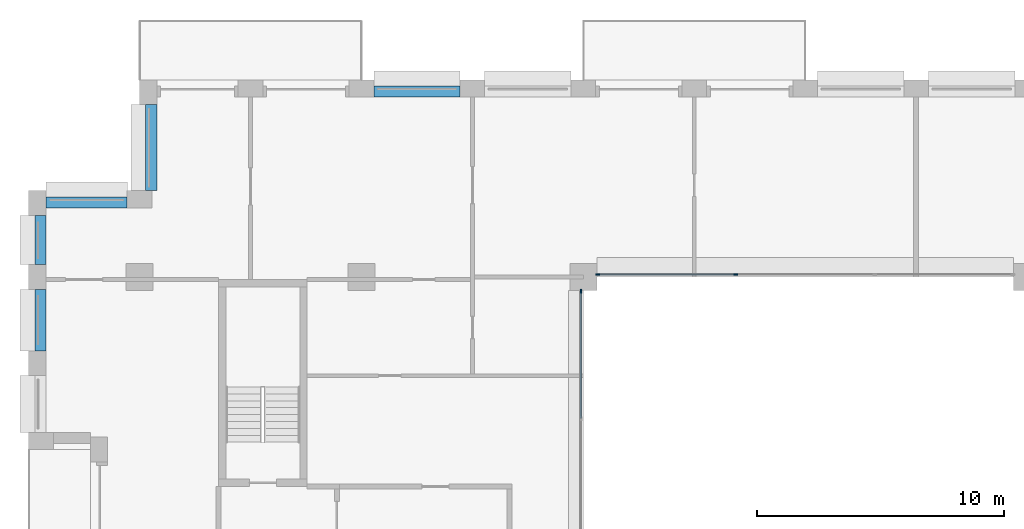
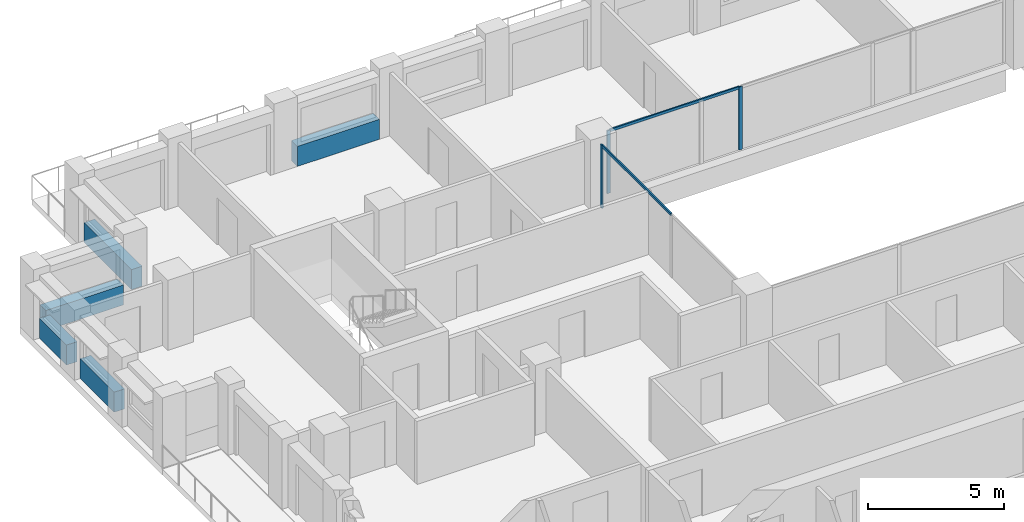
# One storey, part 5 of 15: 5 beams, 5 members, 2 elements without a shape of their own.
"""IFC4 building model written with IfcOpenShell, lengths in metres."""

from ifc_helpers import new_model, si_unit, direction, frame, origin, origin_2d, place, context, subcontext, project, spatial, rectangle, extrude, material, layer, layer_set, material_profile, profile_set, type_object, element, aggregate, save


model = new_model("IFC4")

# Units and contexts
model_context = context("Model", 3, precision=1e-05, world=origin(), true_north=direction((0.0, 1.0)))
body_context = subcontext(model_context, "Body", "Model", "MODEL_VIEW")
ifc_project = project(units=[si_unit("LENGTHUNIT", "METRE"), si_unit("AREAUNIT", "SQUARE_METRE"), si_unit("VOLUMEUNIT", "CUBIC_METRE"), si_unit("PLANEANGLEUNIT", "RADIAN"), si_unit("MASSUNIT", "GRAM", prefix="KILO")], contexts=[model_context])

# Site, building, storey
site_placement = place(None, origin())
site = spatial("IfcSite", under=ifc_project, at=site_placement, CompositionType="ELEMENT")
building_placement = place(site_placement, origin())
building = spatial("IfcBuilding", under=site, at=building_placement, Name="Brigalow Station Residences", CompositionType="ELEMENT")
storey_placement = place(building_placement, frame((0.0, 0.0, 157.050048828125)))
storey = spatial("IfcBuildingStorey", under=building, at=storey_placement, Name="L45", CompositionType="ELEMENT", Elevation=157.050048828125)

# Curtain wall, members
ifc_material_1 = material(Name="Aluminium", Category="aluminium")
ifc_layer = layer(ifc_material_1, 0.14990234375)
ifc_layer_set = layer_set([ifc_layer], Name="ATRIUM FIRE-RATED GLAZING CURTAIN WALL")
curtain_wall_type = type_object("IfcCurtainWallType", Name="ATRIUM FIRE-RATED GLAZING CURTAIN WALL", PredefinedType="NOTDEFINED", material=ifc_layer_set)
curtain_wall_1_placement = place(storey_placement, origin())
curtain_wall_1 = element("IfcCurtainWall", 1, at=curtain_wall_1_placement, inside=storey, type_object=curtain_wall_type, Name="L45/cw/atrium-N", PredefinedType="NOTDEFINED")
ifc_material_2 = material(Name="Aluminium", Category="aluminium")
ifc_material_profile_1 = material_profile(ifc_material_2, rectangle(XDim=0.06005859375, YDim=0.14990234375, at=origin_2d()), Name="ATRIUM FIRE-RATED GLAZING MULLION 60x150")
ifc_profile_set_1 = profile_set([ifc_material_profile_1], Name="Aluminium")
member_type_1 = type_object("IfcMemberType", Name="ATRIUM FIRE-RATED GLAZING MULLION 60x150", PredefinedType="MULLION", material=ifc_profile_set_1)
member_1_placement = place(storey_placement, frame((33.183349609375, 35.60009765625, 0.0), z_axis=(0.0, 0.0, 1.0), x_axis=(0.0, -1.0, 0.0)))
member_1 = element("IfcMember", 2, at=member_1_placement, type_object=member_type_1, Name="L45/cw/atrium-N/M02", PredefinedType="MULLION", context=body_context, shape_type="SweptSolid", body=[
    extrude(rectangle(XDim=0.06005859375, YDim=0.14990234375, at=origin_2d()), origin(), (0.0, 0.0, 1.0), 2.829833984375),
])
member_2_placement = place(storey_placement, frame((27.580078125, 35.60009765625, 0.0), z_axis=(0.0, 0.0, 1.0), x_axis=(0.0, -1.0, 0.0)))
member_2 = element("IfcMember", 3, at=member_2_placement, type_object=member_type_1, Name="L45/cw/atrium-N/M03", PredefinedType="MULLION", context=body_context, shape_type="SweptSolid", body=[
    extrude(rectangle(XDim=0.06005859375, YDim=0.14990234375, at=origin_2d()), origin(), (0.0, 0.0, 1.0), 2.829833984375),
])

# Curtain wall, member
curtain_wall_2_placement = place(storey_placement, origin())
curtain_wall_2 = element("IfcCurtainWall", 4, at=curtain_wall_2_placement, inside=storey, type_object=curtain_wall_type, Name="L45/cw/atrium-W", PredefinedType="NOTDEFINED")
member_3_placement = place(storey_placement, frame((26.89990234375, 34.919921875, 0.0), z_axis=(0.0, 0.0, 1.0), x_axis=(1.0, 0.0, 0.0)))
member_3 = element("IfcMember", 5, at=member_3_placement, type_object=member_type_1, Name="L45/cw/atrium-W/M00", PredefinedType="MULLION", context=body_context, shape_type="SweptSolid", body=[
    extrude(rectangle(XDim=0.06005859375, YDim=0.14990234375, at=origin_2d()), origin(), (0.0, 0.0, 1.0), 2.829833984375),
])

# Member
ifc_material_3 = material(Name="Aluminium", Category="aluminium")
ifc_material_profile_2 = material_profile(ifc_material_3, rectangle(XDim=0.06005859375, YDim=0.1201171875, at=origin_2d()), Name="ATRIUM FIRE-RATED GLAZING TRANSOM 60x120")
ifc_profile_set_2 = profile_set([ifc_material_profile_2], Name="Aluminium")
member_type_2 = type_object("IfcMemberType", Name="ATRIUM FIRE-RATED GLAZING TRANSOM 60x120", PredefinedType="USERDEFINED", material=ifc_profile_set_2)
member_4_placement = place(storey_placement, frame((33.1533203125, 35.60009765625, 2.800048828125), z_axis=(-1.0, 0.0, 0.0), x_axis=(0.0, -1.0, 0.0)))
member_4 = element("IfcMember", 6, at=member_4_placement, type_object=member_type_2, Name="L45/cw/atrium-N/T02-00", ObjectType="TRANSOM", PredefinedType="USERDEFINED", context=body_context, shape_type="SweptSolid", body=[
    extrude(rectangle(XDim=0.06005859375, YDim=0.1201171875, at=origin_2d()), origin(), (0.0, 0.0, 1.0), 5.543212890625),
])

aggregate(curtain_wall_1, [member_1, member_2, member_4])

member_5_placement = place(storey_placement, frame((26.89990234375, 34.889892578125, 2.800048828125), z_axis=(0.0, -1.0, 0.0), x_axis=(1.0, 0.0, 0.0)))
member_5 = element("IfcMember", 7, at=member_5_placement, type_object=member_type_2, Name="L45/cw/atrium-W/T00-00", ObjectType="TRANSOM", PredefinedType="USERDEFINED", context=body_context, shape_type="SweptSolid", body=[
    extrude(rectangle(XDim=0.06005859375, YDim=0.1201171875, at=origin_2d()), origin(), (0.0, 0.0, 1.0), 5.10986328125),
])

aggregate(curtain_wall_2, [member_3, member_5])

# Beams
ifc_material_4 = material(Name="Concrete C50", Category="concrete")
ifc_material_profile_3 = material_profile(ifc_material_4, rectangle(XDim=0.449951171875, YDim=0.89990234375, at=origin_2d()), Name="RC450x900")
ifc_profile_set_3 = profile_set([ifc_material_profile_3], Name="Concrete C50")
beam_type = type_object("IfcBeamType", Name="SPANDREL BEAM 450x900 C50", PredefinedType="SPANDREL", material=ifc_profile_set_3)
for number, where, z_axis, x_axis, name in (
    (8, (22.0, 43.02490234375, 0.449951171875), (-1.0, 0.0, 0.0), (0.0, -1.0, 0.0), "L45/spandrel/W-L45-32"),
    (9, (9.47509765625, 42.5, 0.449951171875), (0.0, -1.0, 0.0), (1.0, 0.0, 0.0), "L45/spandrel/W-L45-35"),
):
    element("IfcBeam", number, at=place(storey_placement, frame(where, z_axis=z_axis, x_axis=x_axis)), inside=storey, type_object=beam_type, Name=name, PredefinedType="SPANDREL", context=body_context, shape_type="SweptSolid", body=[
        extrude(rectangle(XDim=0.449951171875, YDim=0.89990234375, at=origin_2d()), origin(), (0.0, 0.0, 1.0), 3.5),
    ])
beam_1_placement = place(storey_placement, frame((8.5, 38.52490234375, 0.449951171875), z_axis=(-1.0, 0.0, 0.0), x_axis=(0.0, -1.0, 0.0)))
element("IfcBeam", 10, at=beam_1_placement, inside=storey, type_object=beam_type, Name="L45/spandrel/W-L45-36", PredefinedType="SPANDREL", context=body_context, shape_type="SweptSolid", body=[
    extrude(rectangle(XDim=0.449951171875, YDim=0.89990234375, at=origin_2d()), origin(), (0.0, 0.0, 1.0), 3.300048828125),
])
beam_2_placement = place(storey_placement, frame((4.97509765625, 38.0, 0.449951171875), z_axis=(0.0, -1.0, 0.0), x_axis=(1.0, 0.0, 0.0)))
element("IfcBeam", 11, at=beam_2_placement, inside=storey, type_object=beam_type, Name="L45/spandrel/W-L45-37", PredefinedType="SPANDREL", context=body_context, shape_type="SweptSolid", body=[
    extrude(rectangle(XDim=0.449951171875, YDim=0.89990234375, at=origin_2d()), origin(), (0.0, 0.0, 1.0), 2.0),
])
beam_3_placement = place(storey_placement, frame((4.97509765625, 35.0, 0.449951171875), z_axis=(0.0, -1.0, 0.0), x_axis=(1.0, 0.0, 0.0)))
element("IfcBeam", 12, at=beam_3_placement, inside=storey, type_object=beam_type, Name="L45/spandrel/W-L45-38", PredefinedType="SPANDREL", context=body_context, shape_type="SweptSolid", body=[
    extrude(rectangle(XDim=0.449951171875, YDim=0.89990234375, at=origin_2d()), origin(), (0.0, 0.0, 1.0), 2.5),
])

save(model, "model.ifc")
